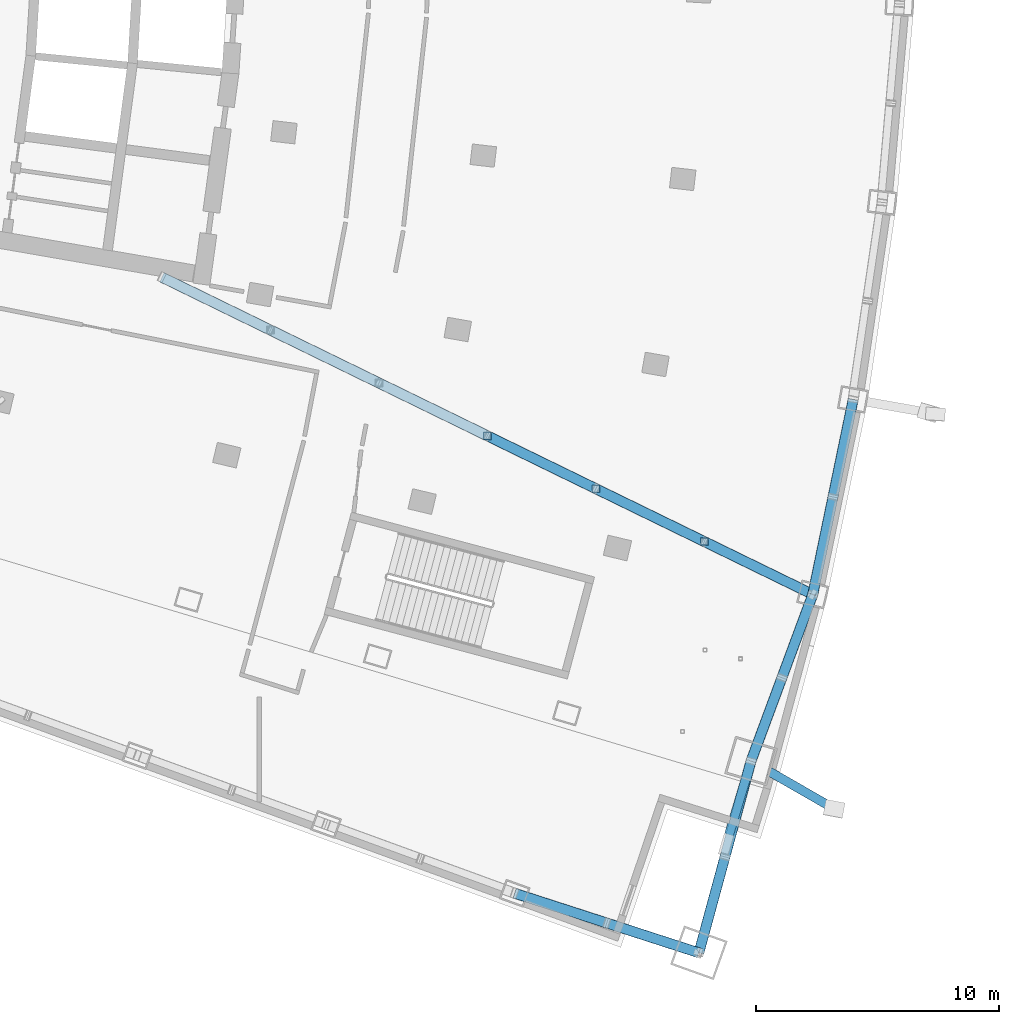
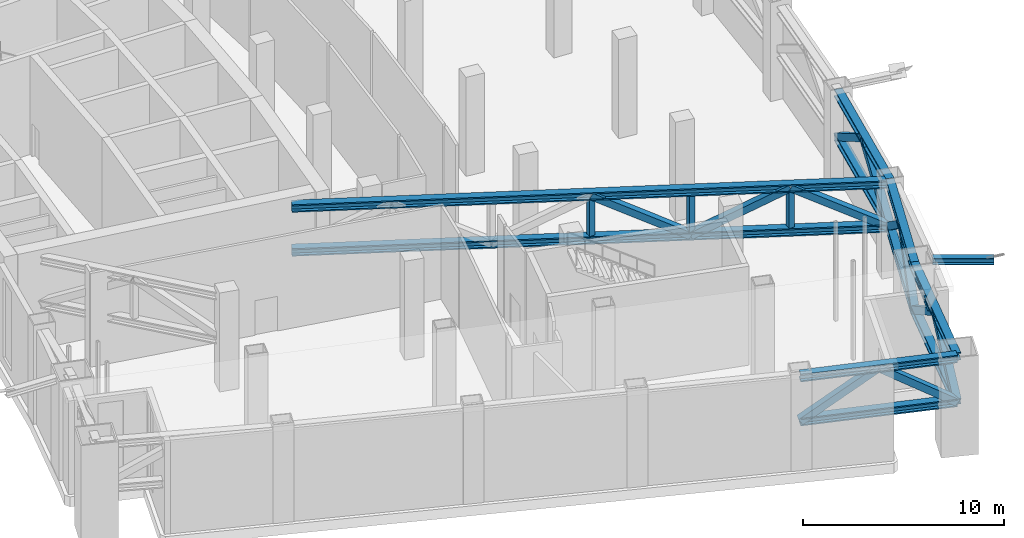
# One storey, part 11 of 26: 26 members.
"""IFC4 building model written with IfcOpenShell, lengths in metres."""

import ifcopenshell
import ifcopenshell.guid

model = None  # the IFC model being written
_history = None  # IfcOwnerHistory: only IFC2X3 demands one
_inside = {}  # id of a spatial element -> (the spatial element, [elements in it])
_under = {}  # id of a project, library or spatial element -> (it, [spatial elements below it])
_declared = {}  # id of a project -> (the project, [libraries it declares])
_typed = {}  # id of a type object -> (the type object, [elements of that type])
_made_of = {}  # id of a material, layer set ... -> (it, [elements and type objects made of it])


def new_model(schema):
    """Start an empty IFC model of exactly this schema.

    Asked for "IFC4X3", IfcOpenShell would pick the latest addendum, in which some entities
    have other attributes; the version numbers below select the first issue.
    IFC2X3 requires an IfcOwnerHistory on every rooted entity: one is made here for all.
    """
    global model, _history
    if schema == "IFC4X3":
        model = ifcopenshell.file(schema_version=(4, 3, 0, 0))
    else:
        model = ifcopenshell.file(schema=schema)
    _inside.clear()
    _under.clear()
    _declared.clear()
    _typed.clear()
    _made_of.clear()
    _history = None
    if model.schema == "IFC2X3":
        org = make("IfcOrganization", Name="unknown")
        user = make(
            "IfcPersonAndOrganization",
            ThePerson=make("IfcPerson", FamilyName="unknown"),
            TheOrganization=org,
        )
        app = make(
            "IfcApplication",
            ApplicationDeveloper=org,
            Version="unknown",
            ApplicationFullName="unknown",
            ApplicationIdentifier="unknown",
        )
        _history = make(
            "IfcOwnerHistory",
            OwningUser=user,
            OwningApplication=app,
            ChangeAction="ADDED",
            CreationDate=0,
        )
    return model


def make(cls, **values):
    """One entity of the class cls with the attributes given. An attribute that is None is left unset."""
    return model.create_entity(
        cls, **{name: value for name, value in values.items() if value is not None}
    )


def rooted(cls, **values):
    """An entity with a GlobalId (a new one), such as an element, a storey or a relation."""
    return make(cls, GlobalId=ifcopenshell.guid.new(), OwnerHistory=_history, **values)


def si_unit(unit_type, name, prefix=None):
    """IfcSIUnit, for example si_unit("LENGTHUNIT", "METRE", prefix="MILLI")."""
    return make("IfcSIUnit", UnitType=unit_type, Prefix=prefix, Name=name)


def assignment(units):
    """IfcUnitAssignment: the units of a project."""
    return None if units is None else make("IfcUnitAssignment", Units=units)


def point(xyz):
    """IfcCartesianPoint."""
    return None if xyz is None else make("IfcCartesianPoint", Coordinates=xyz)


def direction(xyz):
    """IfcDirection."""
    return None if xyz is None else make("IfcDirection", DirectionRatios=xyz)


def frame(location, z_axis=None, x_axis=None):
    """IfcAxis2Placement3D, a coordinate frame: its origin and axes. An axis left out is left unset."""
    return make(
        "IfcAxis2Placement3D",
        Location=point(location),
        Axis=direction(z_axis),
        RefDirection=direction(x_axis),
    )


def frame_2d(location, x_axis=None):
    """IfcAxis2Placement2D, a coordinate frame in the plane: its origin and x axis."""
    return make(
        "IfcAxis2Placement2D", Location=point(location), RefDirection=direction(x_axis)
    )


def origin():
    """The frame at (0, 0, 0) with its axes left unset."""
    return frame((0.0, 0.0, 0.0))


def origin_2d():
    """The frame at (0, 0) in the plane with its x axis left unset."""
    return frame_2d((0.0, 0.0))


def place(relative_to, where):
    """IfcLocalPlacement: puts the frame where relative to a parent placement (None: the world)."""
    return make(
        "IfcLocalPlacement", PlacementRelTo=relative_to, RelativePlacement=where
    )


def context(
    kind, dimensions, precision=None, world=None, true_north=None, identifier=None
):
    """IfcGeometricRepresentationContext, for example the 3D "Model" context."""
    return make(
        "IfcGeometricRepresentationContext",
        ContextIdentifier=identifier,
        ContextType=kind,
        CoordinateSpaceDimension=dimensions,
        Precision=precision,
        WorldCoordinateSystem=world,
        TrueNorth=true_north,
    )


def subcontext(parent, identifier, kind, view, scale=None):
    """IfcGeometricRepresentationSubContext, for example "Body" below "Model"."""
    return make(
        "IfcGeometricRepresentationSubContext",
        ContextIdentifier=identifier,
        ContextType=kind,
        ParentContext=parent,
        TargetScale=scale,
        TargetView=view,
    )


def project(units=None, contexts=None):
    """IfcProject with its units and contexts."""
    return rooted(
        "IfcProject",
        Name="project",
        RepresentationContexts=contexts,
        UnitsInContext=assignment(units),
    )


def spatial(cls, under=None, at=None, **own):
    """A site, building, storey or space (cls), placed at a placement, below another one or the project."""
    s = rooted(cls, ObjectPlacement=at, **own)
    if under is not None:
        _under.setdefault(under.id(), (under, []))[1].append(s)
    return s


def profile(cls, at=None, kind="AREA", **sizes):
    """A parametric profile (cls). Its sizes go by their IFC names, for example OverallWidth=200.0."""
    return make(cls, ProfileType=kind, Position=at, **sizes)


def hollow_rectangle(**sizes):
    """IfcRectangleHollowProfileDef."""
    return profile("IfcRectangleHollowProfileDef", **sizes)


def i_section(**sizes):
    """IfcIShapeProfileDef."""
    return profile("IfcIShapeProfileDef", **sizes)


def extrude(swept, where, along, depth):
    """IfcExtrudedAreaSolid: the profile swept, set in the frame where, extruded along a direction by depth."""
    return make(
        "IfcExtrudedAreaSolid",
        SweptArea=swept,
        Position=where,
        ExtrudedDirection=direction(along),
        Depth=depth,
    )


def shape(context_of_items, identifier, shape_type, items):
    """IfcShapeRepresentation: the items that make up one representation, for example the "Body"."""
    return make(
        "IfcShapeRepresentation",
        ContextOfItems=context_of_items,
        RepresentationIdentifier=identifier,
        RepresentationType=shape_type,
        Items=items,
    )


def material(Name=None, Category=None):
    """IfcMaterial."""
    return make("IfcMaterial", Name=Name, Category=Category)


def material_profile(
    of_material, cross_section, Name=None, Category=None, Priority=None
):
    """IfcMaterialProfile: a cross section and its material."""
    return make(
        "IfcMaterialProfile",
        Name=Name,
        Material=of_material,
        Profile=cross_section,
        Priority=Priority,
        Category=Category,
    )


def profile_set(profiles, Name=None, composite=None):
    """IfcMaterialProfileSet."""
    return make(
        "IfcMaterialProfileSet",
        Name=Name,
        MaterialProfiles=profiles,
        CompositeProfile=composite,
    )


def made_of(thing, what):
    """Note that an element or type object is made of a material, layer set ...; save() writes the relation."""
    if what is not None:
        _made_of.setdefault(what.id(), (what, []))[1].append(thing)
    return thing


def type_object(cls, material=None, **own):
    """A type object (cls), such as IfcWallType, which elements share."""
    return made_of(rooted(cls, **own), material)


def element(
    cls,
    number,
    at=None,
    inside=None,
    cuts=None,
    type_object=None,
    material=None,
    context=None,
    identifier="Body",
    shape_type=None,
    held_by="IfcProductDefinitionShape",
    body=None,
    shapes=None,
    **own,
):
    """One element of the class cls, such as IfcWall. Its Tag is "e" and its number.

    at: its placement. inside: the storey or other place that contains it. cuts: it is an
    opening in that element (IfcRelVoidsElement). A single representation is given by context,
    identifier, shape_type and body (its items); several are given by shapes. held_by: the class
    of the entity that holds the representations. save() writes the other relations.
    """
    e = rooted(cls, Tag="e%d" % number, ObjectPlacement=at, **own)
    if body is not None:
        shapes = [shape(context, identifier, shape_type, body)]
    if shapes is not None:
        e.Representation = make(held_by, Representations=shapes)
    if inside is not None:
        _inside.setdefault(inside.id(), (inside, []))[1].append(e)
    if cuts is not None:
        rooted(
            "IfcRelVoidsElement", RelatingBuildingElement=cuts, RelatedOpeningElement=e
        )
    if type_object is not None:
        _typed.setdefault(type_object.id(), (type_object, []))[1].append(e)
    return made_of(e, material)


def aggregate(whole, parts):
    """IfcRelAggregates: a whole, such as a stair, and the parts it consists of."""
    return rooted("IfcRelAggregates", RelatingObject=whole, RelatedObjects=parts)


def save(model, path):
    """Write the relations noted so far, then the file.

    IfcRelAggregates (storeys below a building ...), IfcRelContainedInSpatialStructure (elements
    in a storey), IfcRelDefinesByType, IfcRelAssociatesMaterial and IfcRelDeclares: one each for
    every whole, place, type object, material and project.
    """
    for whole, parts in _under.values():
        aggregate(whole, parts)
    for where, things in _inside.values():
        rooted(
            "IfcRelContainedInSpatialStructure",
            RelatedElements=things,
            RelatingStructure=where,
        )
    for kind, things in _typed.values():
        rooted("IfcRelDefinesByType", RelatedObjects=things, RelatingType=kind)
    for what, things in _made_of.values():
        rooted("IfcRelAssociatesMaterial", RelatedObjects=things, RelatingMaterial=what)
    for by, libraries in _declared.values():
        rooted("IfcRelDeclares", RelatingContext=by, RelatedDefinitions=libraries)
    model.write(path)


model = new_model("IFC4")

# Units and contexts
model_context = context("Model", 3, precision=1e-05, world=origin(), true_north=direction((0.0, 1.0)))
body_context = subcontext(model_context, "Body", "Model", "MODEL_VIEW")
ifc_project = project(units=[si_unit("LENGTHUNIT", "METRE"), si_unit("AREAUNIT", "SQUARE_METRE"), si_unit("VOLUMEUNIT", "CUBIC_METRE"), si_unit("PLANEANGLEUNIT", "RADIAN"), si_unit("MASSUNIT", "GRAM", prefix="KILO")], contexts=[model_context])

# Site, building, storey
site_placement = place(None, origin())
site = spatial("IfcSite", under=ifc_project, at=site_placement, CompositionType="ELEMENT")
building_placement = place(site_placement, origin())
building = spatial("IfcBuilding", under=site, at=building_placement, Name="Alderwake Tower", CompositionType="ELEMENT")
storey_placement = place(building_placement, frame((0.0, 0.0, 132.800048828125)))
storey = spatial("IfcBuildingStorey", under=building, at=storey_placement, Name="L32", CompositionType="ELEMENT", Elevation=132.800048828125)

# Members
ifc_material_1 = material(Name="Steel ASTM A992 Grade 50", Category="steel")
ifc_material_profile_1 = material_profile(ifc_material_1, i_section(OverallWidth=0.42138671875, OverallDepth=0.464599609375, WebThickness=0.044921875, FlangeThickness=0.072265625, at=origin_2d()), Name="W14X398")
ifc_profile_set_1 = profile_set([ifc_material_profile_1], Name="Steel ASTM A992 Grade 50")
member_type_1 = type_object("IfcMemberType", Name="Belt truss chord W14X398", PredefinedType="CHORD", material=ifc_profile_set_1)
for number, where, z_axis, x_axis, name in (
    (1, (52.09912109375, 13.736083984375, 5.44775390625), (0.262440820663, 0.964948089614, 0.0), (-0.964948089614, 0.262440820663, 0.0), "Belt truss chord BT32F01.T"),
    (2, (52.09912109375, 13.736083984375, 2.7822265625), (0.262440820663, 0.964948089614, 0.0), (-0.964948089614, 0.262440820663, 0.0), "Belt truss chord BT32F01.B"),
):
    element("IfcMember", number, at=place(storey_placement, frame(where, z_axis=z_axis, x_axis=x_axis)), inside=storey, type_object=member_type_1, Name=name, PredefinedType="CHORD", context=body_context, shape_type="SweptSolid", body=[
        extrude(i_section(OverallWidth=0.42138671875, OverallDepth=0.464599609375, WebThickness=0.044921875, FlangeThickness=0.072265625, at=origin_2d()), origin(), (0.0, 0.0, 1.0), 8.18359375),
    ])
for number, where, z_axis, x_axis, name in (
    (3, (54.246826171875, 21.6328125, 5.44775390625), (0.347697021116, 0.937606944038, 0.0), (-0.937606944038, 0.347697021116, 0.0), "Belt truss chord BT32F02.T"),
    (4, (54.246826171875, 21.6328125, 2.7822265625), (0.347697021116, 0.937606944038, 0.0), (-0.937606944038, 0.347697021116, 0.0), "Belt truss chord BT32F02.B"),
):
    element("IfcMember", number, at=place(storey_placement, frame(where, z_axis=z_axis, x_axis=x_axis)), inside=storey, type_object=member_type_1, Name=name, PredefinedType="CHORD", context=body_context, shape_type="SweptSolid", body=[
        extrude(i_section(OverallWidth=0.42138671875, OverallDepth=0.464599609375, WebThickness=0.044921875, FlangeThickness=0.072265625, at=origin_2d()), origin(), (0.0, 0.0, 1.0), 7.313720703125),
    ])
for number, where, z_axis, x_axis, name in (
    (5, (56.789794921875, 28.490234375, 5.44775390625), (0.202770003411, 0.979226391452, 0.0), (-0.979226391452, 0.202770003411, 0.0), "Belt truss chord BT32F03.T"),
    (6, (56.789794921875, 28.490234375, 2.7822265625), (0.202770003411, 0.979226391452, 0.0), (-0.979226391452, 0.202770003411, 0.0), "Belt truss chord BT32F03.B"),
):
    element("IfcMember", number, at=place(storey_placement, frame(where, z_axis=z_axis, x_axis=x_axis)), inside=storey, type_object=member_type_1, Name=name, PredefinedType="CHORD", context=body_context, shape_type="SweptSolid", body=[
        extrude(i_section(OverallWidth=0.42138671875, OverallDepth=0.464599609375, WebThickness=0.044921875, FlangeThickness=0.072265625, at=origin_2d()), origin(), (0.0, 0.0, 1.0), 8.20068359375),
    ])
for number, where, z_axis, x_axis, name in (
    (7, (44.514892578125, 16.187255859375, 5.44775390625), (0.951538141155, -0.307530756066, 0.0), (0.307530756066, 0.951538141155, 0.0), "Belt truss chord BT32E014.T"),
    (8, (44.514892578125, 16.187255859375, 2.7822265625), (0.951538141155, -0.307530756066, 0.0), (0.307530756066, 0.951538141155, 0.0), "Belt truss chord BT32E014.B"),
):
    element("IfcMember", number, at=place(storey_placement, frame(where, z_axis=z_axis, x_axis=x_axis)), inside=storey, type_object=member_type_1, Name=name, PredefinedType="CHORD", context=body_context, shape_type="SweptSolid", body=[
        extrude(i_section(OverallWidth=0.42138671875, OverallDepth=0.464599609375, WebThickness=0.044921875, FlangeThickness=0.072265625, at=origin_2d()), origin(), (0.0, 0.0, 1.0), 7.970458984375),
    ])
ifc_material_2 = material(Name="Steel ASTM A500 Grade C", Category="steel")
ifc_material_profile_2 = material_profile(ifc_material_2, hollow_rectangle(XDim=0.406494140625, YDim=0.406494140625, WallThickness=0.014892578125, at=origin_2d()), Name="HSS16X16X5/8")
ifc_profile_set_2 = profile_set([ifc_material_profile_2], Name="Steel ASTM A500 Grade C")
member_type_2 = type_object("IfcMemberType", Name="Belt truss diagonal HSS16X16X5/8", PredefinedType="BRACE", material=ifc_profile_set_2)
member_1_placement = place(storey_placement, frame((52.09912109375, 13.736083984375, 2.7822265625), z_axis=(0.219925944441, 0.808511564788, 0.545840295842), x_axis=(-0.964938479054, 0.262476154425, 0.0)))
element("IfcMember", 9, at=member_1_placement, inside=storey, type_object=member_type_2, Name="Belt truss diagonal BT32F01.D1", PredefinedType="BRACE", context=body_context, shape_type="SweptSolid", body=[
    extrude(hollow_rectangle(XDim=0.406494140625, YDim=0.406494140625, WallThickness=0.014892578125, at=origin_2d()), origin(), (0.0, 0.0, 1.0), 4.88330078125),
])
member_2_placement = place(storey_placement, frame((54.246826171875, 21.6328125, 2.7822265625), z_axis=(-0.219869479562, -0.808537765566, 0.545824233256), x_axis=(0.964957698478, -0.26240548803, 0.0)))
element("IfcMember", 10, at=member_2_placement, inside=storey, type_object=member_type_2, Name="Belt truss diagonal BT32F01.D2", PredefinedType="BRACE", context=body_context, shape_type="SweptSolid", body=[
    extrude(hollow_rectangle(XDim=0.406494140625, YDim=0.406494140625, WallThickness=0.014892578125, at=origin_2d()), origin(), (0.0, 0.0, 1.0), 4.883544921875),
])
for number, where, z_axis, x_axis, name in (
    (11, (54.246826171875, 21.6328125, 2.7822265625), (0.280976324138, 0.757686539207, 0.589036003636), (-0.937606944038, 0.347697021116, 0.0), "Belt truss diagonal BT32F02.D1"),
    (12, (56.789794921875, 28.490234375, 2.7822265625), (-0.280976324138, -0.757686539207, 0.589036003636), (0.937606944038, -0.347697021116, 0.0), "Belt truss diagonal BT32F02.D2"),
):
    element("IfcMember", number, at=place(storey_placement, frame(where, z_axis=z_axis, x_axis=x_axis)), inside=storey, type_object=member_type_2, Name=name, PredefinedType="BRACE", context=body_context, shape_type="SweptSolid", body=[
        extrude(hollow_rectangle(XDim=0.406494140625, YDim=0.406494140625, WallThickness=0.014892578125, at=origin_2d()), origin(), (0.0, 0.0, 1.0), 4.525146484375),
    ])
for number, where, z_axis, x_axis, name in (
    (13, (56.789794921875, 28.490234375, 2.7822265625), (0.170029342525, 0.820993120129, 0.545032402139), (-0.979220479818, 0.202798550058, 0.0), "Belt truss diagonal BT32F03.D1"),
    (14, (58.45263671875, 36.5205078125, 2.7822265625), (-0.169980864574, -0.821000087748, 0.545037027729), (0.979232302326, -0.202741456246, 0.0), "Belt truss diagonal BT32F03.D2"),
):
    element("IfcMember", number, at=place(storey_placement, frame(where, z_axis=z_axis, x_axis=x_axis)), inside=storey, type_object=member_type_2, Name=name, PredefinedType="BRACE", context=body_context, shape_type="SweptSolid", body=[
        extrude(hollow_rectangle(XDim=0.406494140625, YDim=0.406494140625, WallThickness=0.014892578125, at=origin_2d()), origin(), (0.0, 0.0, 1.0), 4.890625),
    ])
member_3_placement = place(storey_placement, frame((44.514892578125, 16.187255859375, 2.7822265625), z_axis=(0.790920592399, -0.255628468571, 0.555966458139), x_axis=(0.307539719648, 0.951535244139, 0.0)))
element("IfcMember", 15, at=member_3_placement, inside=storey, type_object=member_type_2, Name="Belt truss diagonal BT32E014.D1", PredefinedType="BRACE", context=body_context, shape_type="SweptSolid", body=[
    extrude(hollow_rectangle(XDim=0.406494140625, YDim=0.406494140625, WallThickness=0.014892578125, at=origin_2d()), origin(), (0.0, 0.0, 1.0), 4.79443359375),
])
member_4_placement = place(storey_placement, frame((52.09912109375, 13.736083984375, 2.7822265625), z_axis=(-0.790939658718, 0.255618173358, 0.555944067075), x_axis=(-0.307521792979, -0.951541037918, 0.0)))
element("IfcMember", 16, at=member_4_placement, inside=storey, type_object=member_type_2, Name="Belt truss diagonal BT32E014.D2", PredefinedType="BRACE", context=body_context, shape_type="SweptSolid", body=[
    extrude(hollow_rectangle(XDim=0.406494140625, YDim=0.406494140625, WallThickness=0.014892578125, at=origin_2d()), origin(), (0.0, 0.0, 1.0), 4.794677734375),
])
ifc_material_3 = material(Name="Steel ASTM A992 Grade 50", Category="steel")
ifc_material_profile_3 = material_profile(ifc_material_3, i_section(OverallWidth=0.3740234375, OverallDepth=0.372314453125, WebThickness=0.016357421875, FlangeThickness=0.026123046875, at=origin_2d()), Name="W14X132")
ifc_profile_set_3 = profile_set([ifc_material_profile_3], Name="Steel ASTM A992 Grade 50")
member_type_3 = type_object("IfcMemberType", Name="Brace node stub W14X132", PredefinedType="MEMBER", material=ifc_profile_set_3)
member_5_placement = place(storey_placement, frame((55.00634765625, 21.19677734375, 5.793701171875), z_axis=(0.867179336422, -0.497995982396, 0.0), x_axis=(0.497995982396, 0.867179336422, 0.0)))
element("IfcMember", 17, at=member_5_placement, inside=storey, type_object=member_type_3, Name="Brace node stub BS.FR02-C5.1388", PredefinedType="MEMBER", context=body_context, shape_type="SweptSolid", body=[
    extrude(i_section(OverallWidth=0.3740234375, OverallDepth=0.372314453125, WebThickness=0.016357421875, FlangeThickness=0.026123046875, at=origin_2d()), origin(), (0.0, 0.0, 1.0), 3.0703125),
])
member_6_placement = place(storey_placement, frame((54.03173828125, 20.914306640625, 5.34375), z_axis=(-0.286734415294, -0.958010112205, 0.0), x_axis=(0.958010112205, -0.286734415294, 0.0)))
element("IfcMember", 18, at=member_6_placement, inside=storey, type_object=member_type_3, Name="Brace node stub BS.SR02-C5.1388", PredefinedType="MEMBER", context=body_context, shape_type="SweptSolid", body=[
    extrude(i_section(OverallWidth=0.3740234375, OverallDepth=0.372314453125, WebThickness=0.016357421875, FlangeThickness=0.026123046875, at=origin_2d()), origin(), (0.0, 0.0, 1.0), 2.84814453125),
])
ifc_material_4 = material(Name="Steel ASTM A992 Grade 50", Category="steel")
ifc_material_profile_4 = material_profile(ifc_material_4, i_section(OverallWidth=0.42138671875, OverallDepth=0.464599609375, WebThickness=0.044921875, FlangeThickness=0.072265625, at=origin_2d()), Name="W14X398")
ifc_profile_set_4 = profile_set([ifc_material_profile_4], Name="Steel ASTM A992 Grade 50")
member_type_4 = type_object("IfcMemberType", Name="Outrigger truss chord W14X398", PredefinedType="CHORD", material=ifc_profile_set_4)
for number, where, z_axis, x_axis, name in (
    (19, (29.993896484375, 41.552001953125, 5.44775390625), (0.898892694791, -0.438168829622, 0.0), (0.438168829622, 0.898892694791, 0.0), "Outrigger truss chord OR32SF.T"),
    (20, (29.993896484375, 41.552001953125, 2.7822265625), (0.898892694791, -0.438168829622, 0.0), (0.438168829622, 0.898892694791, 0.0), "Outrigger truss chord OR32SF.B"),
):
    element("IfcMember", number, at=place(storey_placement, frame(where, z_axis=z_axis, x_axis=x_axis)), inside=storey, type_object=member_type_4, Name=name, PredefinedType="CHORD", context=body_context, shape_type="SweptSolid", body=[
        extrude(i_section(OverallWidth=0.42138671875, OverallDepth=0.464599609375, WebThickness=0.044921875, FlangeThickness=0.072265625, at=origin_2d()), origin(), (0.0, 0.0, 1.0), 29.809814453125),
    ])
ifc_material_5 = material(Name="Steel ASTM A500 Grade C", Category="steel")
ifc_material_profile_5 = material_profile(ifc_material_5, hollow_rectangle(XDim=0.406494140625, YDim=0.406494140625, WallThickness=0.014892578125, at=origin_2d()), Name="HSS16X16X5/8")
ifc_profile_set_5 = profile_set([ifc_material_profile_5], Name="Steel ASTM A500 Grade C")
member_type_5 = type_object("IfcMemberType", Name="Outrigger truss diagonal HSS16X16X5/8", PredefinedType="BRACE", material=ifc_profile_set_5)
for number, where, z_axis, x_axis, name in (
    (21, (47.85791015625, 32.84423828125, 2.7822265625), (-0.792098158643, 0.386111588073, 0.472756119612), (-0.438168995666, -0.898892613852, 0.0), "Outrigger truss diagonal OR32SF.D4"),
    (22, (47.85791015625, 32.84423828125, 2.7822265625), (0.792098158643, -0.386111588073, 0.472756119612), (0.438168995666, 0.898892613852, 0.0), "Outrigger truss diagonal OR32SF.D5"),
    (23, (56.789794921875, 28.490234375, 2.7822265625), (-0.792082024847, 0.386124831378, 0.472772334752), (-0.43818835049, -0.898883179003, 0.0), "Outrigger truss diagonal OR32SF.D6"),
):
    element("IfcMember", number, at=place(storey_placement, frame(where, z_axis=z_axis, x_axis=x_axis)), inside=storey, type_object=member_type_5, Name=name, PredefinedType="BRACE", context=body_context, shape_type="SweptSolid", body=[
        extrude(hollow_rectangle(XDim=0.406494140625, YDim=0.406494140625, WallThickness=0.014892578125, at=origin_2d()), origin(), (0.0, 0.0, 1.0), 5.63818359375),
    ])
ifc_material_6 = material(Name="Steel ASTM A500 Grade C", Category="steel")
ifc_material_profile_6 = material_profile(ifc_material_6, hollow_rectangle(XDim=0.3046875, YDim=0.3046875, WallThickness=0.01171875, at=origin_2d()), Name="HSS12X12X1/2")
ifc_profile_set_6 = profile_set([ifc_material_profile_6], Name="Steel ASTM A500 Grade C")
member_type_6 = type_object("IfcMemberType", Name="Outrigger truss post HSS12X12X1/2", PredefinedType="POST", material=ifc_profile_set_6)
for number, where, z_axis, x_axis, name in (
    (24, (43.391845703125, 35.021240234375, 3.0146484375), (0.0, 0.0, 1.0), (1.0, 0.0, 0.0), "Outrigger truss post OR32SF.P3"),
    (25, (47.85791015625, 32.84423828125, 3.0146484375), (0.0, 0.0, 1.0), (1.0, 0.0, 0.0), "Outrigger truss post OR32SF.P4"),
    (26, (52.323974609375, 30.667236328125, 3.0146484375), (0.0, 0.0, 1.0), (1.0, 0.0, 0.0), "Outrigger truss post OR32SF.P5"),
):
    element("IfcMember", number, at=place(storey_placement, frame(where, z_axis=z_axis, x_axis=x_axis)), inside=storey, type_object=member_type_6, Name=name, PredefinedType="POST", context=body_context, shape_type="SweptSolid", body=[
        extrude(hollow_rectangle(XDim=0.3046875, YDim=0.3046875, WallThickness=0.01171875, at=origin_2d()), origin(), (0.0, 0.0, 1.0), 2.20068359375),
    ])

save(model, "model.ifc")
